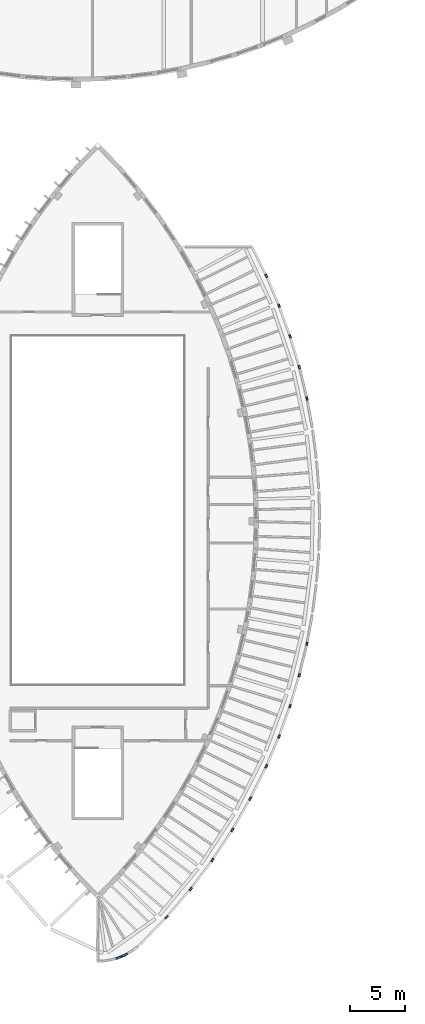
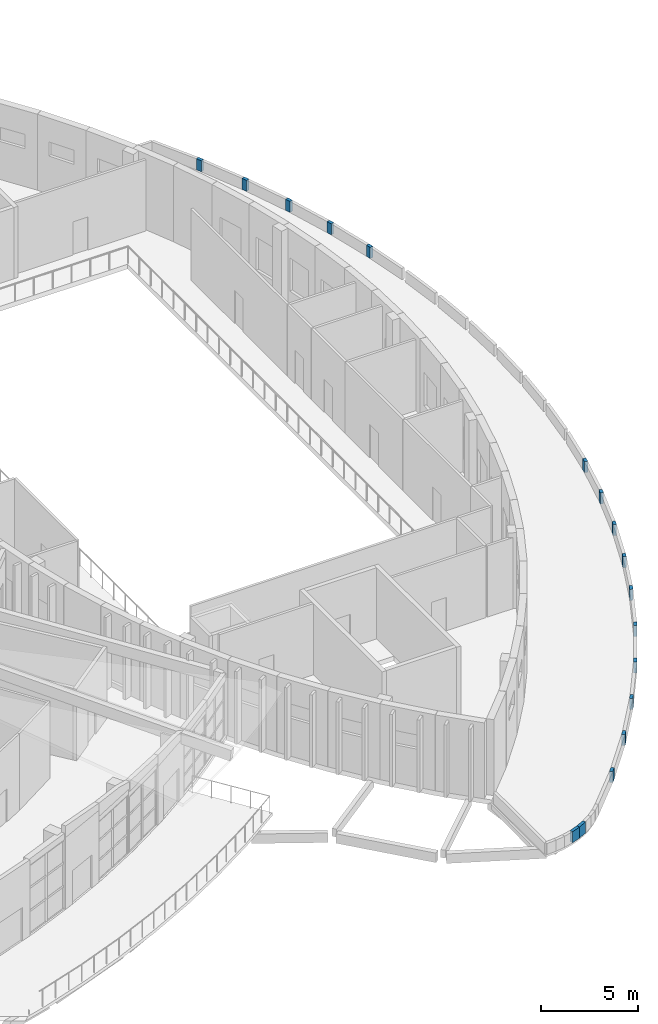
# One storey, part 80 of 93: 17 walls.
"""IFC4 building model written with IfcOpenShell, lengths in metres."""

from ifc_helpers import new_model, si_unit, direction, frame, frame_2d, origin, place, context, subcontext, project, spatial, rectangle, extrude, material, layer, layer_set, type_object, element, save


model = new_model("IFC4")

# Units and contexts
model_context = context("Model", 3, precision=1e-05, world=origin(), true_north=direction((0.0, 1.0)))
body_context = subcontext(model_context, "Body", "Model", "MODEL_VIEW")
ifc_project = project(units=[si_unit("LENGTHUNIT", "METRE"), si_unit("AREAUNIT", "SQUARE_METRE"), si_unit("VOLUMEUNIT", "CUBIC_METRE"), si_unit("PLANEANGLEUNIT", "RADIAN"), si_unit("MASSUNIT", "GRAM", prefix="KILO")], contexts=[model_context])

# Site, building, storey
site_placement = place(None, origin())
site = spatial("IfcSite", under=ifc_project, at=site_placement, CompositionType="ELEMENT")
building_placement = place(site_placement, origin())
building = spatial("IfcBuilding", under=site, at=building_placement, Name="Tide Square Theatres", CompositionType="ELEMENT")
storey_placement = place(building_placement, frame((0.0, 0.0, 5.39990234375)))
storey = spatial("IfcBuildingStorey", under=building, at=storey_placement, Name="L01", CompositionType="ELEMENT", Elevation=5.39990234375)

# Walls
ifc_material = material(Name="Concrete C40", Category="concrete")
ifc_layer = layer(ifc_material, 0.179931640625)
ifc_layer_set = layer_set([ifc_layer], Name="Concrete C40")
wall_type = type_object("IfcWallType", Name="RC parapet 180 thick", PredefinedType="PARAPET", material=ifc_layer_set)
wall_1_placement = place(storey_placement, frame((148.447998046875, 64.7646484375, 0.0), z_axis=(0.0, 0.0, 1.0), x_axis=(0.365775111098, -0.930703265333, 0.0)))
element("IfcWall", 1, at=wall_1_placement, inside=storey, type_object=wall_type, Name="Arcade roof parapet", PredefinedType="PARAPET", context=body_context, shape_type="SweptSolid", body=[
    extrude(rectangle(XDim=0.3076171875, YDim=0.179931640625, at=frame_2d((0.15380859375, 0.0))), origin(), (0.0, 0.0, 1.0), 0.7001953125),
])
for number, where, z_axis, x_axis, name in (
    (2, (149.458740234375, 61.997314453125, 0.0), (0.0, 0.0, 1.0), (0.314085468509, -0.94939471163, 0.0), "Arcade roof parapet"),
    (3, (150.31591796875, 59.178466796875, 0.0), (0.0, 0.0, 1.0), (0.261707928568, -0.965147118384, 0.0), "Arcade roof parapet"),
):
    element("IfcWall", number, at=place(storey_placement, frame(where, z_axis=z_axis, x_axis=x_axis)), inside=storey, type_object=wall_type, Name=name, PredefinedType="PARAPET", context=body_context, shape_type="SweptSolid", body=[
        extrude(rectangle(XDim=0.307861328125, YDim=0.179931640625, at=frame_2d((0.15380859375, 0.0))), origin(), (0.0, 0.0, 1.0), 0.7001953125),
    ])
for number, where, z_axis, x_axis, name in (
    (4, (151.016845703125, 56.31689453125, 0.0), (0.0, 0.0, 1.0), (0.208586718706, -0.978003875646, 0.0), "Arcade roof parapet"),
    (5, (151.07958984375, 33.977294921875, 0.0), (0.0, 0.0, 1.0), (-0.208586718706, -0.978003875646, 0.0), "Arcade roof parapet"),
):
    element("IfcWall", number, at=place(storey_placement, frame(where, z_axis=z_axis, x_axis=x_axis)), inside=storey, type_object=wall_type, Name=name, PredefinedType="PARAPET", context=body_context, shape_type="SweptSolid", body=[
        extrude(rectangle(XDim=0.30078125, YDim=0.179931640625, at=frame_2d((0.150390625, 0.0))), origin(), (0.0, 0.0, 1.0), 0.7001953125),
    ])
for number, where, z_axis, x_axis, name in (
    (6, (150.396484375, 31.11865234375, 0.0), (0.0, 0.0, 1.0), (-0.261707928568, -0.965147118384, 0.0), "Arcade roof parapet"),
    (7, (149.555419921875, 28.294921875, 0.0), (0.0, 0.0, 1.0), (-0.314085468509, -0.94939471163, 0.0), "Arcade roof parapet"),
):
    element("IfcWall", number, at=place(storey_placement, frame(where, z_axis=z_axis, x_axis=x_axis)), inside=storey, type_object=wall_type, Name=name, PredefinedType="PARAPET", context=body_context, shape_type="SweptSolid", body=[
        extrude(rectangle(XDim=0.307861328125, YDim=0.179931640625, at=frame_2d((0.15380859375, 0.0))), origin(), (0.0, 0.0, 1.0), 0.7001953125),
    ])
wall_2_placement = place(storey_placement, frame((148.560546875, 25.521728515625, 0.0), z_axis=(0.0, 0.0, 1.0), x_axis=(-0.365775111098, -0.930703265333, 0.0)))
element("IfcWall", 8, at=wall_2_placement, inside=storey, type_object=wall_type, Name="Arcade roof parapet", PredefinedType="PARAPET", context=body_context, shape_type="SweptSolid", body=[
    extrude(rectangle(XDim=0.3076171875, YDim=0.179931640625, at=frame_2d((0.15380859375, 0.0))), origin(), (0.0, 0.0, 1.0), 0.7001953125),
])
wall_3_placement = place(storey_placement, frame((147.414794921875, 22.8076171875, 0.0), z_axis=(0.0, 0.0, 1.0), x_axis=(-0.417583821655, -0.908638405468, 0.0)))
element("IfcWall", 9, at=wall_3_placement, inside=storey, type_object=wall_type, Name="Arcade roof parapet", PredefinedType="PARAPET", context=body_context, shape_type="SweptSolid", body=[
    extrude(rectangle(XDim=0.32568359375, YDim=0.179931640625, at=frame_2d((0.162841796875, 0.0))), origin(), (0.0, 0.0, 1.0), 0.7001953125),
])
for number, where, z_axis, x_axis, name in (
    (10, (145.970703125, 19.87451171875, 0.0), (0.0, 0.0, 1.0), (-0.47176787332, -0.881722787334, 0.0), "Arcade roof parapet"),
    (11, (144.34130859375, 17.01953125, 0.0), (0.0, 0.0, 1.0), (-0.52449389471, -0.851414208486, 0.0), "Arcade roof parapet"),
    (12, (142.540283203125, 14.269775390625, 0.0), (0.0, 0.0, 1.0), (-0.576320440774, -0.817223806277, 0.0), "Arcade roof parapet"),
):
    element("IfcWall", number, at=place(storey_placement, frame(where, z_axis=z_axis, x_axis=x_axis)), inside=storey, type_object=wall_type, Name=name, PredefinedType="PARAPET", context=body_context, shape_type="SweptSolid", body=[
        extrude(rectangle(XDim=0.343505859375, YDim=0.179931640625, at=frame_2d((0.171875, 0.0))), origin(), (0.0, 0.0, 1.0), 0.7001953125),
    ])
wall_4_placement = place(storey_placement, frame((140.573974609375, 11.6357421875, 0.0), z_axis=(0.0, 0.0, 1.0), x_axis=(-0.625291273428, -0.780391455217, 0.0)))
element("IfcWall", 13, at=wall_4_placement, inside=storey, type_object=wall_type, Name="Arcade roof parapet", PredefinedType="PARAPET", context=body_context, shape_type="SweptSolid", body=[
    extrude(rectangle(XDim=0.349365234375, YDim=0.179931640625, at=frame_2d((0.1748046875, 0.0))), origin(), (0.0, 0.0, 1.0), 0.7001953125),
])
wall_5_placement = place(storey_placement, frame((138.378173828125, 9.048095703125, 0.0), z_axis=(0.0, 0.0, 1.0), x_axis=(-0.672980673416, -0.739660065982, 0.0)))
element("IfcWall", 14, at=wall_5_placement, inside=storey, type_object=wall_type, Name="Arcade roof parapet", PredefinedType="PARAPET", context=body_context, shape_type="SweptSolid", body=[
    extrude(rectangle(XDim=0.355224609375, YDim=0.179931640625, at=frame_2d((0.177734375, 0.0))), origin(), (0.0, 0.0, 1.0), 0.7001953125),
])
for number, where, z_axis, x_axis, name in (
    (15, (134.686279296875, 5.58642578125, 0.0), (0.0, 0.0, 1.0), (-0.900192329396, -0.435492560323, 0.0), "Arcade roof parapet"),
    (16, (134.18212890625, 5.342529296875, 0.0), (0.0, 0.0, 1.0), (-0.939321653585, -0.343037652608, 0.0), "Arcade roof parapet"),
):
    element("IfcWall", number, at=place(storey_placement, frame(where, z_axis=z_axis, x_axis=x_axis)), inside=storey, type_object=wall_type, Name=name, PredefinedType="PARAPET", context=body_context, shape_type="SweptSolid", body=[
        extrude(rectangle(XDim=0.56005859375, YDim=0.179931640625, at=frame_2d((0.280029296875, 0.0))), origin(), (0.0, 0.0, 1.0), 0.7001953125),
    ])
wall_6_placement = place(storey_placement, frame((147.27880859375, 67.48828125, 0.0), z_axis=(0.0, 0.0, 1.0), x_axis=(0.417583821655, -0.908638405468, 0.0)))
element("IfcWall", 17, at=wall_6_placement, inside=storey, type_object=wall_type, Name="Arcade roof parapet", PredefinedType="PARAPET", context=body_context, shape_type="SweptSolid", body=[
    extrude(rectangle(XDim=0.32568359375, YDim=0.179931640625, at=frame_2d((0.162841796875, 0.0))), origin(), (0.0, 0.0, 1.0), 0.7001953125),
])

save(model, "model.ifc")
